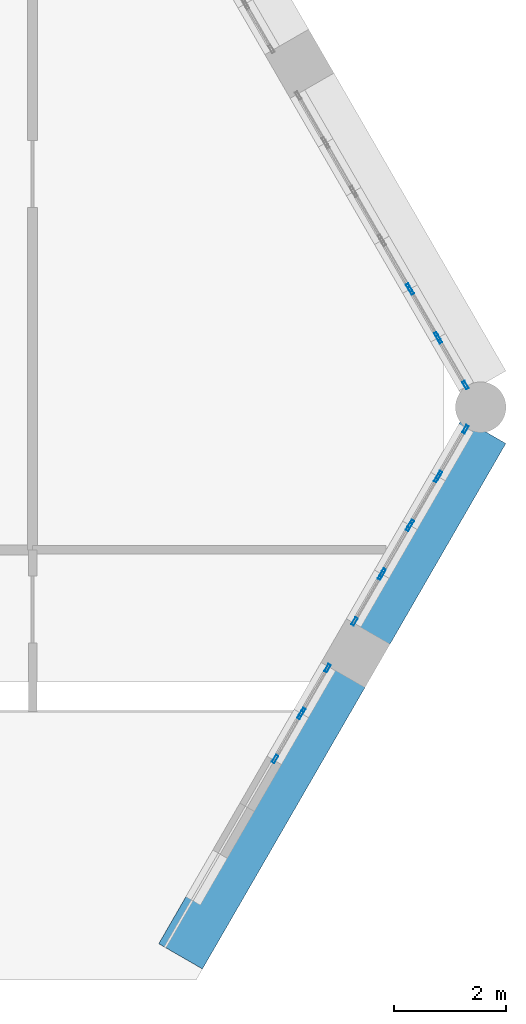
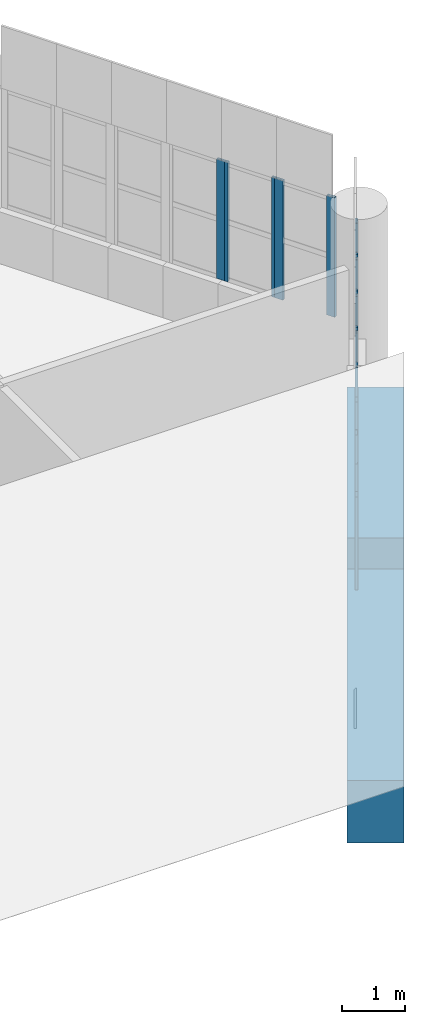
# One storey, part 11 of 23: 17 members, 2 beams, 9 elements without a shape of their own.
"""IFC4 building model written with IfcOpenShell, lengths in metres."""

from ifc_helpers import new_model, si_unit, direction, frame, origin, origin_2d, place, context, subcontext, project, spatial, rectangle, hollow_rectangle, extrude, material, material_profile, profile_set, type_object, element, aggregate, save


model = new_model("IFC4")

# Units and contexts
model_context = context("Model", 3, precision=1e-05, world=origin(), true_north=direction((0.0, 1.0)))
body_context = subcontext(model_context, "Body", "Model", "MODEL_VIEW")
ifc_project = project(units=[si_unit("LENGTHUNIT", "METRE"), si_unit("AREAUNIT", "SQUARE_METRE"), si_unit("VOLUMEUNIT", "CUBIC_METRE"), si_unit("PLANEANGLEUNIT", "RADIAN"), si_unit("MASSUNIT", "GRAM", prefix="KILO")], contexts=[model_context])

# Site, building, storey
site_placement = place(None, origin())
site = spatial("IfcSite", under=ifc_project, at=site_placement, CompositionType="ELEMENT")
building_placement = place(site_placement, origin())
building = spatial("IfcBuilding", under=site, at=building_placement, Name="Ostrander Bayou Hotel Tower", CompositionType="ELEMENT")
storey_placement = place(building_placement, frame((0.0, 0.0, 279.5)))
storey = spatial("IfcBuildingStorey", under=building, at=storey_placement, Name="L69", CompositionType="ELEMENT", Elevation=279.5)

# Curtain wall, members
ifc_material_1 = material(Name="Aluminium and clear glass", Category="aluminium")
curtain_wall_type = type_object("IfcCurtainWallType", Name="CW-CROWN glazed wall", PredefinedType="NOTDEFINED", material=ifc_material_1)
curtain_wall_1_placement = place(storey_placement, origin())
curtain_wall_1 = element("IfcCurtainWall", 1, at=curtain_wall_1_placement, inside=storey, type_object=curtain_wall_type, Name="CW-CROWN L69:SE-2-5", PredefinedType="NOTDEFINED")
ifc_material_2 = material(Name="Aluminium", Category="aluminium")
ifc_material_profile_1 = material_profile(ifc_material_2, hollow_rectangle(XDim=0.050048828125, YDim=0.14990234375, WallThickness=0.00390625, at=origin_2d()))
ifc_profile_set_1 = profile_set([ifc_material_profile_1], Name="Aluminium")
member_type = type_object("IfcMemberType", Name="CW-CR mullion 50 x 150 mm", PredefinedType="MULLION", material=ifc_profile_set_1)
member_1_placement = place(storey_placement, frame((14.822509765625, -7.426513671875, 1.0), z_axis=(0.0, 0.0, 1.0), x_axis=(-0.866040610507, 0.499973660258, 0.0)))
member_1 = element("IfcMember", 2, at=member_1_placement, type_object=member_type, Name="CW-CROWN mullion 1", PredefinedType="MULLION", context=body_context, shape_type="SweptSolid", body=[
    extrude(hollow_rectangle(XDim=0.050048828125, YDim=0.14990234375, WallThickness=0.00390625, at=origin_2d()), origin(), (0.0, 0.0, 1.0), 1.785888671875),
])
member_2_placement = place(storey_placement, frame((15.27490234375, -6.642822265625, 1.0), z_axis=(0.0, 0.0, 1.0), x_axis=(-0.866040610507, 0.499973660258, 0.0)))
member_2 = element("IfcMember", 3, at=member_2_placement, type_object=member_type, Name="CW-CROWN mullion 2", PredefinedType="MULLION", context=body_context, shape_type="SweptSolid", body=[
    extrude(hollow_rectangle(XDim=0.050048828125, YDim=0.14990234375, WallThickness=0.00390625, at=origin_2d()), origin(), (0.0, 0.0, 1.0), 1.785888671875),
])
aggregate(curtain_wall_1, [member_1, member_2])

curtain_wall_2_placement = place(storey_placement, origin())
curtain_wall_2 = element("IfcCurtainWall", 4, at=curtain_wall_2_placement, inside=storey, type_object=curtain_wall_type, Name="CW-CROWN L69:SE-2-6", PredefinedType="NOTDEFINED")
member_3_placement = place(storey_placement, frame((15.304931640625, -6.5908203125, 1.0), z_axis=(0.0, 0.0, 1.0), x_axis=(-0.86601469901, 0.500018540754, 0.0)))
member_3 = element("IfcMember", 5, at=member_3_placement, type_object=member_type, Name="CW-CROWN mullion 1", PredefinedType="MULLION", context=body_context, shape_type="SweptSolid", body=[
    extrude(hollow_rectangle(XDim=0.050048828125, YDim=0.14990234375, WallThickness=0.00390625, at=origin_2d()), origin(), (0.0, 0.0, 1.0), 2.300048828125),
])
member_4_placement = place(storey_placement, frame((15.75732421875, -5.807373046875, 1.0), z_axis=(0.0, 0.0, 1.0), x_axis=(-0.86601469901, 0.500018540754, 0.0)))
member_4 = element("IfcMember", 6, at=member_4_placement, type_object=member_type, Name="CW-CROWN mullion 2", PredefinedType="MULLION", context=body_context, shape_type="SweptSolid", body=[
    extrude(hollow_rectangle(XDim=0.050048828125, YDim=0.14990234375, WallThickness=0.00390625, at=origin_2d()), origin(), (0.0, 0.0, 1.0), 2.300048828125),
])
aggregate(curtain_wall_2, [member_3, member_4])

curtain_wall_3_placement = place(storey_placement, origin())
curtain_wall_3 = element("IfcCurtainWall", 7, at=curtain_wall_3_placement, inside=storey, type_object=curtain_wall_type, Name="CW-CROWN L69:SE-3-1", PredefinedType="NOTDEFINED")
member_5_placement = place(storey_placement, frame((16.2373046875, -4.97607421875, 1.0), z_axis=(0.0, 0.0, 1.0), x_axis=(-0.866021344042, 0.500007031615, 0.0)))
member_5 = element("IfcMember", 8, at=member_5_placement, type_object=member_type, Name="CW-CROWN mullion 1", PredefinedType="MULLION", context=body_context, shape_type="SweptSolid", body=[
    extrude(hollow_rectangle(XDim=0.050048828125, YDim=0.14990234375, WallThickness=0.00390625, at=origin_2d()), origin(), (0.0, 0.0, 1.0), 2.300048828125),
])
member_6_placement = place(storey_placement, frame((16.709228515625, -4.15869140625, 1.0), z_axis=(0.0, 0.0, 1.0), x_axis=(-0.866021344042, 0.500007031615, 0.0)))
member_6 = element("IfcMember", 9, at=member_6_placement, type_object=member_type, Name="CW-CROWN mullion 2", PredefinedType="MULLION", context=body_context, shape_type="SweptSolid", body=[
    extrude(hollow_rectangle(XDim=0.050048828125, YDim=0.14990234375, WallThickness=0.00390625, at=origin_2d()), origin(), (0.0, 0.0, 1.0), 2.300048828125),
])
aggregate(curtain_wall_3, [member_5, member_6])

curtain_wall_4_placement = place(storey_placement, origin())
curtain_wall_4 = element("IfcCurtainWall", 10, at=curtain_wall_4_placement, inside=storey, type_object=curtain_wall_type, Name="CW-CROWN L69:SE-3-2", PredefinedType="NOTDEFINED")
member_7_placement = place(storey_placement, frame((16.7392578125, -4.106689453125, 1.0), z_axis=(0.0, 0.0, 1.0), x_axis=(-0.866046247237, 0.499963896343, 0.0)))
member_7 = element("IfcMember", 11, at=member_7_placement, type_object=member_type, Name="CW-CROWN mullion 1", PredefinedType="MULLION", context=body_context, shape_type="SweptSolid", body=[
    extrude(hollow_rectangle(XDim=0.050048828125, YDim=0.14990234375, WallThickness=0.00390625, at=origin_2d()), origin(), (0.0, 0.0, 1.0), 2.300048828125),
])
member_8_placement = place(storey_placement, frame((17.211181640625, -3.289306640625, 1.0), z_axis=(0.0, 0.0, 1.0), x_axis=(-0.866046247237, 0.499963896343, 0.0)))
member_8 = element("IfcMember", 12, at=member_8_placement, type_object=member_type, Name="CW-CROWN mullion 2", PredefinedType="MULLION", context=body_context, shape_type="SweptSolid", body=[
    extrude(hollow_rectangle(XDim=0.050048828125, YDim=0.14990234375, WallThickness=0.00390625, at=origin_2d()), origin(), (0.0, 0.0, 1.0), 2.300048828125),
])
aggregate(curtain_wall_4, [member_7, member_8])

curtain_wall_5_placement = place(storey_placement, origin())
curtain_wall_5 = element("IfcCurtainWall", 13, at=curtain_wall_5_placement, inside=storey, type_object=curtain_wall_type, Name="CW-CROWN L69:SE-3-3", PredefinedType="NOTDEFINED")
member_9_placement = place(storey_placement, frame((17.2412109375, -3.2373046875, 1.0), z_axis=(0.0, 0.0, 1.0), x_axis=(-0.866021344042, 0.500007031615, 0.0)))
member_9 = element("IfcMember", 14, at=member_9_placement, type_object=member_type, Name="CW-CROWN mullion 1", PredefinedType="MULLION", context=body_context, shape_type="SweptSolid", body=[
    extrude(hollow_rectangle(XDim=0.050048828125, YDim=0.14990234375, WallThickness=0.00390625, at=origin_2d()), origin(), (0.0, 0.0, 1.0), 2.300048828125),
])
member_10_placement = place(storey_placement, frame((17.713134765625, -2.419921875, 1.0), z_axis=(0.0, 0.0, 1.0), x_axis=(-0.866021344042, 0.500007031615, 0.0)))
member_10 = element("IfcMember", 15, at=member_10_placement, type_object=member_type, Name="CW-CROWN mullion 2", PredefinedType="MULLION", context=body_context, shape_type="SweptSolid", body=[
    extrude(hollow_rectangle(XDim=0.050048828125, YDim=0.14990234375, WallThickness=0.00390625, at=origin_2d()), origin(), (0.0, 0.0, 1.0), 2.300048828125),
])
aggregate(curtain_wall_5, [member_9, member_10])

curtain_wall_6_placement = place(storey_placement, origin())
curtain_wall_6 = element("IfcCurtainWall", 16, at=curtain_wall_6_placement, inside=storey, type_object=curtain_wall_type, Name="CW-CROWN L69:SE-3-4", PredefinedType="NOTDEFINED")
member_11_placement = place(storey_placement, frame((17.7431640625, -2.367919921875, 1.0), z_axis=(0.0, 0.0, 1.0), x_axis=(-0.866046247237, 0.499963896343, 0.0)))
member_11 = element("IfcMember", 17, at=member_11_placement, type_object=member_type, Name="CW-CROWN mullion 1", PredefinedType="MULLION", context=body_context, shape_type="SweptSolid", body=[
    extrude(hollow_rectangle(XDim=0.050048828125, YDim=0.14990234375, WallThickness=0.00390625, at=origin_2d()), origin(), (0.0, 0.0, 1.0), 2.300048828125),
])
member_12_placement = place(storey_placement, frame((18.215087890625, -1.550537109375, 1.0), z_axis=(0.0, 0.0, 1.0), x_axis=(-0.866046247237, 0.499963896343, 0.0)))
member_12 = element("IfcMember", 18, at=member_12_placement, type_object=member_type, Name="CW-CROWN mullion 2", PredefinedType="MULLION", context=body_context, shape_type="SweptSolid", body=[
    extrude(hollow_rectangle(XDim=0.050048828125, YDim=0.14990234375, WallThickness=0.00390625, at=origin_2d()), origin(), (0.0, 0.0, 1.0), 2.300048828125),
])
aggregate(curtain_wall_6, [member_11, member_12])

curtain_wall_7_placement = place(storey_placement, origin())
curtain_wall_7 = element("IfcCurtainWall", 19, at=curtain_wall_7_placement, inside=storey, type_object=curtain_wall_type, Name="CW-CROWN L69:NE-1-1", PredefinedType="NOTDEFINED")
member_13_placement = place(storey_placement, frame((18.215087890625, -0.76220703125, 1.0), z_axis=(0.0, 0.0, 1.0), x_axis=(-0.865976376875, -0.500084907485, 0.0)))
member_13 = element("IfcMember", 20, at=member_13_placement, type_object=member_type, Name="CW-CROWN mullion 1", PredefinedType="MULLION", context=body_context, shape_type="SweptSolid", body=[
    extrude(hollow_rectangle(XDim=0.050048828125, YDim=0.14990234375, WallThickness=0.00390625, at=origin_2d()), origin(), (0.0, 0.0, 1.0), 2.300048828125),
])
member_14_placement = place(storey_placement, frame((17.743408203125, 0.05419921875, 1.0), z_axis=(0.0, 0.0, 1.0), x_axis=(-0.865976376875, -0.500084907485, 0.0)))
member_14 = element("IfcMember", 21, at=member_14_placement, type_object=member_type, Name="CW-CROWN mullion 2", PredefinedType="MULLION", context=body_context, shape_type="SweptSolid", body=[
    extrude(hollow_rectangle(XDim=0.050048828125, YDim=0.14990234375, WallThickness=0.00390625, at=origin_2d()), origin(), (0.0, 0.0, 1.0), 2.300048828125),
])
aggregate(curtain_wall_7, [member_13, member_14])

curtain_wall_8_placement = place(storey_placement, origin())
curtain_wall_8 = element("IfcCurtainWall", 22, at=curtain_wall_8_placement, inside=storey, type_object=curtain_wall_type, Name="CW-CROWN L69:NE-1-2", PredefinedType="NOTDEFINED")
member_15_placement = place(storey_placement, frame((17.713623046875, 0.106201171875, 1.0), z_axis=(0.0, 0.0, 1.0), x_axis=(-0.866044474681, -0.499966966783, 0.0)))
member_15 = element("IfcMember", 23, at=member_15_placement, type_object=member_type, Name="CW-CROWN mullion 1", PredefinedType="MULLION", context=body_context, shape_type="SweptSolid", body=[
    extrude(hollow_rectangle(XDim=0.050048828125, YDim=0.14990234375, WallThickness=0.00390625, at=origin_2d()), origin(), (0.0, 0.0, 1.0), 2.300048828125),
])
member_16_placement = place(storey_placement, frame((17.241943359375, 0.923095703125, 1.0), z_axis=(0.0, 0.0, 1.0), x_axis=(-0.866044474681, -0.499966966783, 0.0)))
member_16 = element("IfcMember", 24, at=member_16_placement, type_object=member_type, Name="CW-CROWN mullion 2", PredefinedType="MULLION", context=body_context, shape_type="SweptSolid", body=[
    extrude(hollow_rectangle(XDim=0.050048828125, YDim=0.14990234375, WallThickness=0.00390625, at=origin_2d()), origin(), (0.0, 0.0, 1.0), 2.300048828125),
])
aggregate(curtain_wall_8, [member_15, member_16])

# Curtain wall, member
curtain_wall_9_placement = place(storey_placement, origin())
curtain_wall_9 = element("IfcCurtainWall", 25, at=curtain_wall_9_placement, inside=storey, type_object=curtain_wall_type, Name="CW-CROWN L69:NE-1-3", PredefinedType="NOTDEFINED")
member_17_placement = place(storey_placement, frame((17.2119140625, 0.97509765625, 1.0), z_axis=(0.0, 0.0, 1.0), x_axis=(-0.866044474681, -0.499966966783, 0.0)))
member_17 = element("IfcMember", 26, at=member_17_placement, type_object=member_type, Name="CW-CROWN mullion 1", PredefinedType="MULLION", context=body_context, shape_type="SweptSolid", body=[
    extrude(hollow_rectangle(XDim=0.050048828125, YDim=0.14990234375, WallThickness=0.00390625, at=origin_2d()), origin(), (0.0, 0.0, 1.0), 2.300048828125),
])
aggregate(curtain_wall_9, [member_17])

# Beams
ifc_material_3 = material(Name="Concrete f'c 60 MPa", Category="concrete")
ifc_material_profile_2 = material_profile(ifc_material_3, rectangle(XDim=0.89990234375, YDim=1.199951171875, at=origin_2d()))
ifc_profile_set_2 = profile_set([ifc_material_profile_2], Name="Concrete f'c 60 MPa")
beam_type = type_object("IfcBeamType", Name="SP4 spandrel beam 900 x 1200 mm f'c 60 MPa", PredefinedType="SPANDREL", material=ifc_profile_set_2)
beam_1_placement = place(storey_placement, frame((13.1376953125, -10.944580078125, -0.60009765625), z_axis=(0.500015433515, 0.866016493057, 0.0), x_axis=(-0.866016493057, 0.500015433515, 0.0)))
element("IfcBeam", 27, at=beam_1_placement, inside=storey, type_object=beam_type, Name="SP4 L69 SE-2", PredefinedType="SPANDREL", context=body_context, shape_type="SweptSolid", body=[
    extrude(rectangle(XDim=0.89990234375, YDim=1.199951171875, at=origin_2d()), origin(), (0.0, 0.0, 1.0), 5.818603515625),
])
beam_2_placement = place(storey_placement, frame((16.46728515625, -5.177978515625, -0.60009765625), z_axis=(0.499980071345, 0.866036909293, 0.0), x_axis=(-0.866036909293, 0.499980071345, 0.0)))
element("IfcBeam", 28, at=beam_2_placement, inside=storey, type_object=beam_type, Name="SP4 L69 SE-3", PredefinedType="SPANDREL", context=body_context, shape_type="SweptSolid", body=[
    extrude(rectangle(XDim=0.89990234375, YDim=1.199951171875, at=origin_2d()), origin(), (0.0, 0.0, 1.0), 4.156494140625),
])

save(model, "model.ifc")
